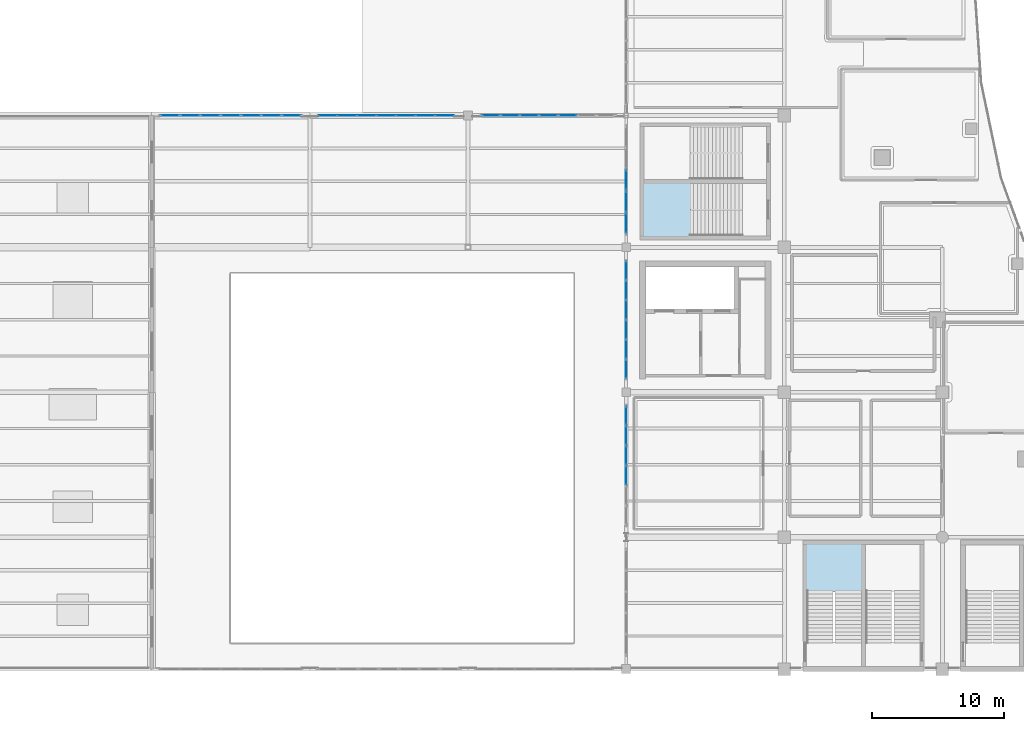
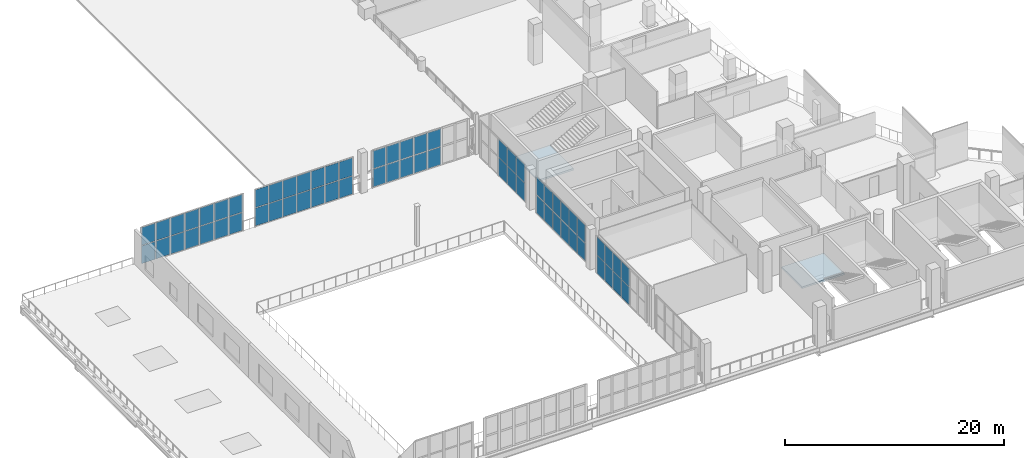
# One storey, part 51 of 90: 64 plates, 2 slabs, 8 elements without a shape of their own.
"""IFC4 building model written with IfcOpenShell, lengths in metres."""

from ifc_helpers import new_model, si_unit, direction, frame, origin, origin_2d, place, context, subcontext, project, spatial, polyline, rectangle, outline, extrude, material, layer, layer_set, type_object, element, aggregate, save


model = new_model("IFC4")

# Units and contexts
model_context = context("Model", 3, precision=1e-05, world=origin(), true_north=direction((0.0, 1.0)))
body_context = subcontext(model_context, "Body", "Model", "MODEL_VIEW")
ifc_project = project(units=[si_unit("LENGTHUNIT", "METRE"), si_unit("AREAUNIT", "SQUARE_METRE"), si_unit("VOLUMEUNIT", "CUBIC_METRE"), si_unit("PLANEANGLEUNIT", "RADIAN"), si_unit("MASSUNIT", "GRAM", prefix="KILO")], contexts=[model_context])

# Site, building, storey
site_placement = place(None, origin())
site = spatial("IfcSite", under=ifc_project, at=site_placement, CompositionType="ELEMENT")
building_placement = place(site_placement, origin())
building = spatial("IfcBuilding", under=site, at=building_placement, Name="Brinegate Civic Arena", CompositionType="ELEMENT")
storey_placement = place(building_placement, frame((0.0, 0.0, 14.699951171875)))
storey = spatial("IfcBuildingStorey", under=building, at=storey_placement, Name="L03", CompositionType="ELEMENT", Elevation=14.699951171875)

# Curtain wall, plates
ifc_material_1 = material(Name="Marine grade aluminium", Category="aluminium")
ifc_layer_1 = layer(ifc_material_1, 0.18505859375, Name="Marine grade aluminium")
ifc_layer_set_1 = layer_set([ifc_layer_1], Name="Marine grade aluminium")
curtain_wall_type_1 = type_object("IfcCurtainWallType", Name="CW-WING-GLAZED-03", PredefinedType="USERDEFINED", material=ifc_layer_set_1)
curtain_wall_1_placement = place(storey_placement, origin())
curtain_wall_1 = element("IfcCurtainWall", 1, at=curtain_wall_1_placement, inside=storey, type_object=curtain_wall_type_1, Name="Curtain Wall CWA-030", ObjectType="GLAZED CURTAIN WALL", PredefinedType="USERDEFINED")
ifc_material_2 = material(Name="Hurricane laminated low-E glass", Category="glass")
ifc_layer_2 = layer(ifc_material_2, 0.028076171875, Name="Hurricane laminated low-E glass")
ifc_layer_set_2 = layer_set([ifc_layer_2], Name="Hurricane laminated low-E glass")
plate_type_1 = type_object("IfcPlateType", Name="CW-PANEL-GLAZED-28", PredefinedType="CURTAIN_PANEL", material=ifc_layer_set_2)
plate_1_placement = place(storey_placement, frame((25.3583984375, 52.0, 0.065185546875), z_axis=(0.0, 0.0, 1.0), x_axis=(1.0, 0.0, 0.0)))
plate_1 = element("IfcPlate", 2, at=plate_1_placement, type_object=plate_type_1, Name="CWA-030 panel 1.1", PredefinedType="CURTAIN_PANEL", context=body_context, shape_type="SweptSolid", body=[
    extrude(rectangle(XDim=1.38671875, YDim=0.028076171875, at=origin_2d()), origin(), (0.0, 0.0, 1.0), 1.982421875),
])
plate_2_placement = place(storey_placement, frame((25.3583984375, 52.0, 2.112548828125), z_axis=(0.0, 0.0, 1.0), x_axis=(1.0, 0.0, 0.0)))
plate_2 = element("IfcPlate", 3, at=plate_2_placement, type_object=plate_type_1, Name="CWA-030 panel 1.2", PredefinedType="CURTAIN_PANEL", context=body_context, shape_type="SweptSolid", body=[
    extrude(rectangle(XDim=1.38671875, YDim=0.028076171875, at=origin_2d()), origin(), (0.0, 0.0, 1.0), 1.982421875),
])
plate_3_placement = place(storey_placement, frame((26.826416015625, 52.0, 0.065185546875), z_axis=(0.0, 0.0, 1.0), x_axis=(1.0, 0.0, 0.0)))
plate_3 = element("IfcPlate", 4, at=plate_3_placement, type_object=plate_type_1, Name="CWA-030 panel 2.1", PredefinedType="CURTAIN_PANEL", context=body_context, shape_type="SweptSolid", body=[
    extrude(rectangle(XDim=1.419189453125, YDim=0.028076171875, at=origin_2d()), origin(), (0.0, 0.0, 1.0), 1.982421875),
])
plate_4_placement = place(storey_placement, frame((26.826416015625, 52.0, 2.112548828125), z_axis=(0.0, 0.0, 1.0), x_axis=(1.0, 0.0, 0.0)))
plate_4 = element("IfcPlate", 5, at=plate_4_placement, type_object=plate_type_1, Name="CWA-030 panel 2.2", PredefinedType="CURTAIN_PANEL", context=body_context, shape_type="SweptSolid", body=[
    extrude(rectangle(XDim=1.419189453125, YDim=0.028076171875, at=origin_2d()), origin(), (0.0, 0.0, 1.0), 1.982421875),
])
plate_5_placement = place(storey_placement, frame((28.310791015625, 52.0, 0.065185546875), z_axis=(0.0, 0.0, 1.0), x_axis=(1.0, 0.0, 0.0)))
plate_5 = element("IfcPlate", 6, at=plate_5_placement, type_object=plate_type_1, Name="CWA-030 panel 3.1", PredefinedType="CURTAIN_PANEL", context=body_context, shape_type="SweptSolid", body=[
    extrude(rectangle(XDim=1.419189453125, YDim=0.028076171875, at=origin_2d()), origin(), (0.0, 0.0, 1.0), 1.982421875),
])
plate_6_placement = place(storey_placement, frame((28.310791015625, 52.0, 2.112548828125), z_axis=(0.0, 0.0, 1.0), x_axis=(1.0, 0.0, 0.0)))
plate_6 = element("IfcPlate", 7, at=plate_6_placement, type_object=plate_type_1, Name="CWA-030 panel 3.2", PredefinedType="CURTAIN_PANEL", context=body_context, shape_type="SweptSolid", body=[
    extrude(rectangle(XDim=1.419189453125, YDim=0.028076171875, at=origin_2d()), origin(), (0.0, 0.0, 1.0), 1.982421875),
])
plate_7_placement = place(storey_placement, frame((29.794921875, 52.0, 0.065185546875), z_axis=(0.0, 0.0, 1.0), x_axis=(1.0, 0.0, 0.0)))
plate_7 = element("IfcPlate", 8, at=plate_7_placement, type_object=plate_type_1, Name="CWA-030 panel 4.1", PredefinedType="CURTAIN_PANEL", context=body_context, shape_type="SweptSolid", body=[
    extrude(rectangle(XDim=1.419189453125, YDim=0.028076171875, at=origin_2d()), origin(), (0.0, 0.0, 1.0), 1.982421875),
])
plate_8_placement = place(storey_placement, frame((29.794921875, 52.0, 2.112548828125), z_axis=(0.0, 0.0, 1.0), x_axis=(1.0, 0.0, 0.0)))
plate_8 = element("IfcPlate", 9, at=plate_8_placement, type_object=plate_type_1, Name="CWA-030 panel 4.2", PredefinedType="CURTAIN_PANEL", context=body_context, shape_type="SweptSolid", body=[
    extrude(rectangle(XDim=1.419189453125, YDim=0.028076171875, at=origin_2d()), origin(), (0.0, 0.0, 1.0), 1.982421875),
])
plate_9_placement = place(storey_placement, frame((31.279296875, 52.0, 0.065185546875), z_axis=(0.0, 0.0, 1.0), x_axis=(1.0, 0.0, 0.0)))
plate_9 = element("IfcPlate", 10, at=plate_9_placement, type_object=plate_type_1, Name="CWA-030 panel 5.1", PredefinedType="CURTAIN_PANEL", context=body_context, shape_type="SweptSolid", body=[
    extrude(rectangle(XDim=1.419189453125, YDim=0.028076171875, at=origin_2d()), origin(), (0.0, 0.0, 1.0), 1.982421875),
])
plate_10_placement = place(storey_placement, frame((31.279296875, 52.0, 2.112548828125), z_axis=(0.0, 0.0, 1.0), x_axis=(1.0, 0.0, 0.0)))
plate_10 = element("IfcPlate", 11, at=plate_10_placement, type_object=plate_type_1, Name="CWA-030 panel 5.2", PredefinedType="CURTAIN_PANEL", context=body_context, shape_type="SweptSolid", body=[
    extrude(rectangle(XDim=1.419189453125, YDim=0.028076171875, at=origin_2d()), origin(), (0.0, 0.0, 1.0), 1.982421875),
])
plate_11_placement = place(storey_placement, frame((32.763671875, 52.0, 0.065185546875), z_axis=(0.0, 0.0, 1.0), x_axis=(1.0, 0.0, 0.0)))
plate_11 = element("IfcPlate", 12, at=plate_11_placement, type_object=plate_type_1, Name="CWA-030 panel 6.1", PredefinedType="CURTAIN_PANEL", context=body_context, shape_type="SweptSolid", body=[
    extrude(rectangle(XDim=1.419189453125, YDim=0.028076171875, at=origin_2d()), origin(), (0.0, 0.0, 1.0), 1.982421875),
])
plate_12_placement = place(storey_placement, frame((32.763671875, 52.0, 2.112548828125), z_axis=(0.0, 0.0, 1.0), x_axis=(1.0, 0.0, 0.0)))
plate_12 = element("IfcPlate", 13, at=plate_12_placement, type_object=plate_type_1, Name="CWA-030 panel 6.2", PredefinedType="CURTAIN_PANEL", context=body_context, shape_type="SweptSolid", body=[
    extrude(rectangle(XDim=1.419189453125, YDim=0.028076171875, at=origin_2d()), origin(), (0.0, 0.0, 1.0), 1.982421875),
])
plate_13_placement = place(storey_placement, frame((34.231689453125, 52.0, 0.065185546875), z_axis=(0.0, 0.0, 1.0), x_axis=(1.0, 0.0, 0.0)))
plate_13 = element("IfcPlate", 14, at=plate_13_placement, type_object=plate_type_1, Name="CWA-030 panel 7.1", PredefinedType="CURTAIN_PANEL", context=body_context, shape_type="SweptSolid", body=[
    extrude(rectangle(XDim=1.38671875, YDim=0.028076171875, at=origin_2d()), origin(), (0.0, 0.0, 1.0), 1.982421875),
])
plate_14_placement = place(storey_placement, frame((34.231689453125, 52.0, 2.112548828125), z_axis=(0.0, 0.0, 1.0), x_axis=(1.0, 0.0, 0.0)))
plate_14 = element("IfcPlate", 15, at=plate_14_placement, type_object=plate_type_1, Name="CWA-030 panel 7.2", PredefinedType="CURTAIN_PANEL", context=body_context, shape_type="SweptSolid", body=[
    extrude(rectangle(XDim=1.38671875, YDim=0.028076171875, at=origin_2d()), origin(), (0.0, 0.0, 1.0), 1.982421875),
])
aggregate(curtain_wall_1, [plate_1, plate_2, plate_3, plate_4, plate_5, plate_6, plate_7, plate_8, plate_9, plate_10, plate_11, plate_12, plate_13, plate_14])

ifc_layer_3 = layer(ifc_material_1, 0.199951171875, Name="Marine grade aluminium")
ifc_layer_set_3 = layer_set([ifc_layer_3], Name="Marine grade aluminium")
curtain_wall_type_2 = type_object("IfcCurtainWallType", Name="CW-BOWL-GLAZED-01", PredefinedType="USERDEFINED", material=ifc_layer_set_3)
curtain_wall_2_placement = place(storey_placement, origin())
curtain_wall_2 = element("IfcCurtainWall", 16, at=curtain_wall_2_placement, inside=storey, type_object=curtain_wall_type_2, Name="Curtain Wall CWA-109", ObjectType="GLAZED CURTAIN WALL", PredefinedType="USERDEFINED")
ifc_layer_4 = layer(ifc_material_2, 0.031982421875, Name="Hurricane laminated low-E glass")
ifc_layer_set_4 = layer_set([ifc_layer_4], Name="Hurricane laminated low-E glass")
plate_type_2 = type_object("IfcPlateType", Name="CW-PANEL-GLAZED-32", PredefinedType="CURTAIN_PANEL", material=ifc_layer_set_4)
plate_15_placement = place(storey_placement, frame((48.0, 32.774658203125, 0.0751953125), z_axis=(0.0, 0.0, 1.0), x_axis=(0.0, 1.0, 0.0)))
plate_15 = element("IfcPlate", 17, at=plate_15_placement, type_object=plate_type_2, Name="CWA-109 panel 1.1", PredefinedType="CURTAIN_PANEL", context=body_context, shape_type="SweptSolid", body=[
    extrude(rectangle(XDim=1.399169921875, YDim=0.031982421875, at=origin_2d()), origin(), (0.0, 0.0, 1.0), 1.967529296875),
])
plate_16_placement = place(storey_placement, frame((48.0, 32.774658203125, 2.11767578125), z_axis=(0.0, 0.0, 1.0), x_axis=(0.0, 1.0, 0.0)))
plate_16 = element("IfcPlate", 18, at=plate_16_placement, type_object=plate_type_2, Name="CWA-109 panel 1.2", PredefinedType="CURTAIN_PANEL", context=body_context, shape_type="SweptSolid", body=[
    extrude(rectangle(XDim=1.399169921875, YDim=0.031982421875, at=origin_2d()), origin(), (0.0, 0.0, 1.0), 1.967529296875),
])
plate_17_placement = place(storey_placement, frame((48.0, 34.2548828125, 0.0751953125), z_axis=(0.0, 0.0, 1.0), x_axis=(0.0, 1.0, 0.0)))
plate_17 = element("IfcPlate", 19, at=plate_17_placement, type_object=plate_type_2, Name="CWA-109 panel 2.1", PredefinedType="CURTAIN_PANEL", context=body_context, shape_type="SweptSolid", body=[
    extrude(rectangle(XDim=1.431640625, YDim=0.031982421875, at=origin_2d()), origin(), (0.0, 0.0, 1.0), 1.967529296875),
])
plate_18_placement = place(storey_placement, frame((48.0, 34.2548828125, 2.11767578125), z_axis=(0.0, 0.0, 1.0), x_axis=(0.0, 1.0, 0.0)))
plate_18 = element("IfcPlate", 20, at=plate_18_placement, type_object=plate_type_2, Name="CWA-109 panel 2.2", PredefinedType="CURTAIN_PANEL", context=body_context, shape_type="SweptSolid", body=[
    extrude(rectangle(XDim=1.431640625, YDim=0.031982421875, at=origin_2d()), origin(), (0.0, 0.0, 1.0), 1.967529296875),
])
plate_19_placement = place(storey_placement, frame((48.0, 35.751708984375, 0.0751953125), z_axis=(0.0, 0.0, 1.0), x_axis=(0.0, 1.0, 0.0)))
plate_19 = element("IfcPlate", 21, at=plate_19_placement, type_object=plate_type_2, Name="CWA-109 panel 3.1", PredefinedType="CURTAIN_PANEL", context=body_context, shape_type="SweptSolid", body=[
    extrude(rectangle(XDim=1.431640625, YDim=0.031982421875, at=origin_2d()), origin(), (0.0, 0.0, 1.0), 1.967529296875),
])
plate_20_placement = place(storey_placement, frame((48.0, 35.751708984375, 2.11767578125), z_axis=(0.0, 0.0, 1.0), x_axis=(0.0, 1.0, 0.0)))
plate_20 = element("IfcPlate", 22, at=plate_20_placement, type_object=plate_type_2, Name="CWA-109 panel 3.2", PredefinedType="CURTAIN_PANEL", context=body_context, shape_type="SweptSolid", body=[
    extrude(rectangle(XDim=1.431640625, YDim=0.031982421875, at=origin_2d()), origin(), (0.0, 0.0, 1.0), 1.967529296875),
])
plate_21_placement = place(storey_placement, frame((48.0, 37.248291015625, 0.0751953125), z_axis=(0.0, 0.0, 1.0), x_axis=(0.0, 1.0, 0.0)))
plate_21 = element("IfcPlate", 23, at=plate_21_placement, type_object=plate_type_2, Name="CWA-109 panel 4.1", PredefinedType="CURTAIN_PANEL", context=body_context, shape_type="SweptSolid", body=[
    extrude(rectangle(XDim=1.431640625, YDim=0.031982421875, at=origin_2d()), origin(), (0.0, 0.0, 1.0), 1.967529296875),
])
plate_22_placement = place(storey_placement, frame((48.0, 37.248291015625, 2.11767578125), z_axis=(0.0, 0.0, 1.0), x_axis=(0.0, 1.0, 0.0)))
plate_22 = element("IfcPlate", 24, at=plate_22_placement, type_object=plate_type_2, Name="CWA-109 panel 4.2", PredefinedType="CURTAIN_PANEL", context=body_context, shape_type="SweptSolid", body=[
    extrude(rectangle(XDim=1.431640625, YDim=0.031982421875, at=origin_2d()), origin(), (0.0, 0.0, 1.0), 1.967529296875),
])
plate_23_placement = place(storey_placement, frame((48.0, 38.7451171875, 0.0751953125), z_axis=(0.0, 0.0, 1.0), x_axis=(0.0, 1.0, 0.0)))
plate_23 = element("IfcPlate", 25, at=plate_23_placement, type_object=plate_type_2, Name="CWA-109 panel 5.1", PredefinedType="CURTAIN_PANEL", context=body_context, shape_type="SweptSolid", body=[
    extrude(rectangle(XDim=1.431640625, YDim=0.031982421875, at=origin_2d()), origin(), (0.0, 0.0, 1.0), 1.967529296875),
])
plate_24_placement = place(storey_placement, frame((48.0, 38.7451171875, 2.11767578125), z_axis=(0.0, 0.0, 1.0), x_axis=(0.0, 1.0, 0.0)))
plate_24 = element("IfcPlate", 26, at=plate_24_placement, type_object=plate_type_2, Name="CWA-109 panel 5.2", PredefinedType="CURTAIN_PANEL", context=body_context, shape_type="SweptSolid", body=[
    extrude(rectangle(XDim=1.431640625, YDim=0.031982421875, at=origin_2d()), origin(), (0.0, 0.0, 1.0), 1.967529296875),
])
plate_25_placement = place(storey_placement, frame((48.0, 40.225341796875, 0.0751953125), z_axis=(0.0, 0.0, 1.0), x_axis=(0.0, 1.0, 0.0)))
plate_25 = element("IfcPlate", 27, at=plate_25_placement, type_object=plate_type_2, Name="CWA-109 panel 6.1", PredefinedType="CURTAIN_PANEL", context=body_context, shape_type="SweptSolid", body=[
    extrude(rectangle(XDim=1.399169921875, YDim=0.031982421875, at=origin_2d()), origin(), (0.0, 0.0, 1.0), 1.967529296875),
])
plate_26_placement = place(storey_placement, frame((48.0, 40.225341796875, 2.11767578125), z_axis=(0.0, 0.0, 1.0), x_axis=(0.0, 1.0, 0.0)))
plate_26 = element("IfcPlate", 28, at=plate_26_placement, type_object=plate_type_2, Name="CWA-109 panel 6.2", PredefinedType="CURTAIN_PANEL", context=body_context, shape_type="SweptSolid", body=[
    extrude(rectangle(XDim=1.399169921875, YDim=0.031982421875, at=origin_2d()), origin(), (0.0, 0.0, 1.0), 1.967529296875),
])
aggregate(curtain_wall_2, [plate_15, plate_16, plate_17, plate_18, plate_19, plate_20, plate_21, plate_22, plate_23, plate_24, plate_25, plate_26])

curtain_wall_3_placement = place(storey_placement, origin())
curtain_wall_3 = element("IfcCurtainWall", 29, at=curtain_wall_3_placement, inside=storey, type_object=curtain_wall_type_1, Name="Curtain Wall CWA-028", ObjectType="GLAZED CURTAIN WALL", PredefinedType="USERDEFINED")
ifc_layer_5 = layer(ifc_material_2, 0.035888671875, Name="Hurricane laminated low-E glass")
ifc_layer_set_5 = layer_set([ifc_layer_5], Name="Hurricane laminated low-E glass")
plate_type_3 = type_object("IfcPlateType", Name="CW-PANEL-GLAZED-36", PredefinedType="CURTAIN_PANEL", material=ifc_layer_set_5)
plate_27_placement = place(storey_placement, frame((13.39013671875, 52.0, 0.065185546875), z_axis=(0.0, 0.0, 1.0), x_axis=(1.0, 0.0, 0.0)))
plate_27 = element("IfcPlate", 30, at=plate_27_placement, type_object=plate_type_3, Name="CWA-028 panel 1.1", PredefinedType="CURTAIN_PANEL", context=body_context, shape_type="SweptSolid", body=[
    extrude(rectangle(XDim=1.430419921875, YDim=0.035888671875, at=origin_2d()), origin(), (0.0, 0.0, 1.0), 1.982421875),
])
plate_28_placement = place(storey_placement, frame((13.39013671875, 52.0, 2.112548828125), z_axis=(0.0, 0.0, 1.0), x_axis=(1.0, 0.0, 0.0)))
plate_28 = element("IfcPlate", 31, at=plate_28_placement, type_object=plate_type_3, Name="CWA-028 panel 1.2", PredefinedType="CURTAIN_PANEL", context=body_context, shape_type="SweptSolid", body=[
    extrude(rectangle(XDim=1.430419921875, YDim=0.035888671875, at=origin_2d()), origin(), (0.0, 0.0, 1.0), 1.982421875),
])
plate_29_placement = place(storey_placement, frame((14.914306640625, 52.0, 0.065185546875), z_axis=(0.0, 0.0, 1.0), x_axis=(1.0, 0.0, 0.0)))
plate_29 = element("IfcPlate", 32, at=plate_29_placement, type_object=plate_type_3, Name="CWA-028 panel 2.1", PredefinedType="CURTAIN_PANEL", context=body_context, shape_type="SweptSolid", body=[
    extrude(rectangle(XDim=1.4677734375, YDim=0.035888671875, at=origin_2d()), origin(), (0.0, 0.0, 1.0), 1.982421875),
])
plate_30_placement = place(storey_placement, frame((14.914306640625, 52.0, 2.112548828125), z_axis=(0.0, 0.0, 1.0), x_axis=(1.0, 0.0, 0.0)))
plate_30 = element("IfcPlate", 33, at=plate_30_placement, type_object=plate_type_3, Name="CWA-028 panel 2.2", PredefinedType="CURTAIN_PANEL", context=body_context, shape_type="SweptSolid", body=[
    extrude(rectangle(XDim=1.4677734375, YDim=0.035888671875, at=origin_2d()), origin(), (0.0, 0.0, 1.0), 1.982421875),
])
plate_31_placement = place(storey_placement, frame((16.45703125, 52.0, 0.065185546875), z_axis=(0.0, 0.0, 1.0), x_axis=(1.0, 0.0, 0.0)))
plate_31 = element("IfcPlate", 34, at=plate_31_placement, type_object=plate_type_3, Name="CWA-028 panel 3.1", PredefinedType="CURTAIN_PANEL", context=body_context, shape_type="SweptSolid", body=[
    extrude(rectangle(XDim=1.4677734375, YDim=0.035888671875, at=origin_2d()), origin(), (0.0, 0.0, 1.0), 1.982421875),
])
plate_32_placement = place(storey_placement, frame((16.45703125, 52.0, 2.112548828125), z_axis=(0.0, 0.0, 1.0), x_axis=(1.0, 0.0, 0.0)))
plate_32 = element("IfcPlate", 35, at=plate_32_placement, type_object=plate_type_3, Name="CWA-028 panel 3.2", PredefinedType="CURTAIN_PANEL", context=body_context, shape_type="SweptSolid", body=[
    extrude(rectangle(XDim=1.4677734375, YDim=0.035888671875, at=origin_2d()), origin(), (0.0, 0.0, 1.0), 1.982421875),
])
plate_33_placement = place(storey_placement, frame((18.0, 52.0, 0.065185546875), z_axis=(0.0, 0.0, 1.0), x_axis=(1.0, 0.0, 0.0)))
plate_33 = element("IfcPlate", 36, at=plate_33_placement, type_object=plate_type_3, Name="CWA-028 panel 4.1", PredefinedType="CURTAIN_PANEL", context=body_context, shape_type="SweptSolid", body=[
    extrude(rectangle(XDim=1.4677734375, YDim=0.035888671875, at=origin_2d()), origin(), (0.0, 0.0, 1.0), 1.982421875),
])
plate_34_placement = place(storey_placement, frame((18.0, 52.0, 2.112548828125), z_axis=(0.0, 0.0, 1.0), x_axis=(1.0, 0.0, 0.0)))
plate_34 = element("IfcPlate", 37, at=plate_34_placement, type_object=plate_type_3, Name="CWA-028 panel 4.2", PredefinedType="CURTAIN_PANEL", context=body_context, shape_type="SweptSolid", body=[
    extrude(rectangle(XDim=1.4677734375, YDim=0.035888671875, at=origin_2d()), origin(), (0.0, 0.0, 1.0), 1.982421875),
])
plate_35_placement = place(storey_placement, frame((19.54296875, 52.0, 0.065185546875), z_axis=(0.0, 0.0, 1.0), x_axis=(1.0, 0.0, 0.0)))
plate_35 = element("IfcPlate", 38, at=plate_35_placement, type_object=plate_type_3, Name="CWA-028 panel 5.1", PredefinedType="CURTAIN_PANEL", context=body_context, shape_type="SweptSolid", body=[
    extrude(rectangle(XDim=1.4677734375, YDim=0.035888671875, at=origin_2d()), origin(), (0.0, 0.0, 1.0), 1.982421875),
])
plate_36_placement = place(storey_placement, frame((19.54296875, 52.0, 2.112548828125), z_axis=(0.0, 0.0, 1.0), x_axis=(1.0, 0.0, 0.0)))
plate_36 = element("IfcPlate", 39, at=plate_36_placement, type_object=plate_type_3, Name="CWA-028 panel 5.2", PredefinedType="CURTAIN_PANEL", context=body_context, shape_type="SweptSolid", body=[
    extrude(rectangle(XDim=1.4677734375, YDim=0.035888671875, at=origin_2d()), origin(), (0.0, 0.0, 1.0), 1.982421875),
])
plate_37_placement = place(storey_placement, frame((21.085693359375, 52.0, 0.065185546875), z_axis=(0.0, 0.0, 1.0), x_axis=(1.0, 0.0, 0.0)))
plate_37 = element("IfcPlate", 40, at=plate_37_placement, type_object=plate_type_3, Name="CWA-028 panel 6.1", PredefinedType="CURTAIN_PANEL", context=body_context, shape_type="SweptSolid", body=[
    extrude(rectangle(XDim=1.4677734375, YDim=0.035888671875, at=origin_2d()), origin(), (0.0, 0.0, 1.0), 1.982421875),
])
plate_38_placement = place(storey_placement, frame((21.085693359375, 52.0, 2.112548828125), z_axis=(0.0, 0.0, 1.0), x_axis=(1.0, 0.0, 0.0)))
plate_38 = element("IfcPlate", 41, at=plate_38_placement, type_object=plate_type_3, Name="CWA-028 panel 6.2", PredefinedType="CURTAIN_PANEL", context=body_context, shape_type="SweptSolid", body=[
    extrude(rectangle(XDim=1.4677734375, YDim=0.035888671875, at=origin_2d()), origin(), (0.0, 0.0, 1.0), 1.982421875),
])
plate_39_placement = place(storey_placement, frame((22.60986328125, 52.0, 0.065185546875), z_axis=(0.0, 0.0, 1.0), x_axis=(1.0, 0.0, 0.0)))
plate_39 = element("IfcPlate", 42, at=plate_39_placement, type_object=plate_type_3, Name="CWA-028 panel 7.1", PredefinedType="CURTAIN_PANEL", context=body_context, shape_type="SweptSolid", body=[
    extrude(rectangle(XDim=1.430419921875, YDim=0.035888671875, at=origin_2d()), origin(), (0.0, 0.0, 1.0), 1.982421875),
])
plate_40_placement = place(storey_placement, frame((22.60986328125, 52.0, 2.112548828125), z_axis=(0.0, 0.0, 1.0), x_axis=(1.0, 0.0, 0.0)))
plate_40 = element("IfcPlate", 43, at=plate_40_placement, type_object=plate_type_3, Name="CWA-028 panel 7.2", PredefinedType="CURTAIN_PANEL", context=body_context, shape_type="SweptSolid", body=[
    extrude(rectangle(XDim=1.430419921875, YDim=0.035888671875, at=origin_2d()), origin(), (0.0, 0.0, 1.0), 1.982421875),
])
aggregate(curtain_wall_3, [plate_27, plate_28, plate_29, plate_30, plate_31, plate_32, plate_33, plate_34, plate_35, plate_36, plate_37, plate_38, plate_39, plate_40])

curtain_wall_4_placement = place(storey_placement, origin())
curtain_wall_4 = element("IfcCurtainWall", 44, at=curtain_wall_4_placement, inside=storey, type_object=curtain_wall_type_1, Name="Curtain Wall CWA-032", ObjectType="GLAZED CURTAIN WALL", PredefinedType="USERDEFINED")
plate_41_placement = place(storey_placement, frame((37.7568359375, 52.0, 0.0751953125), z_axis=(0.0, 0.0, 1.0), x_axis=(1.0, 0.0, 0.0)))
plate_41 = element("IfcPlate", 45, at=plate_41_placement, type_object=plate_type_3, Name="CWA-032 panel 1.1", PredefinedType="CURTAIN_PANEL", context=body_context, shape_type="SweptSolid", body=[
    extrude(rectangle(XDim=1.34375, YDim=0.035888671875, at=origin_2d()), origin(), (0.0, 0.0, 1.0), 1.967529296875),
])
plate_42_placement = place(storey_placement, frame((37.7568359375, 52.0, 2.11767578125), z_axis=(0.0, 0.0, 1.0), x_axis=(1.0, 0.0, 0.0)))
plate_42 = element("IfcPlate", 46, at=plate_42_placement, type_object=plate_type_3, Name="CWA-032 panel 1.2", PredefinedType="CURTAIN_PANEL", context=body_context, shape_type="SweptSolid", body=[
    extrude(rectangle(XDim=1.34375, YDim=0.035888671875, at=origin_2d()), origin(), (0.0, 0.0, 1.0), 1.967529296875),
])
plate_43_placement = place(storey_placement, frame((39.1943359375, 52.0, 0.0751953125), z_axis=(0.0, 0.0, 1.0), x_axis=(1.0, 0.0, 0.0)))
plate_43 = element("IfcPlate", 47, at=plate_43_placement, type_object=plate_type_3, Name="CWA-032 panel 2.1", PredefinedType="CURTAIN_PANEL", context=body_context, shape_type="SweptSolid", body=[
    extrude(rectangle(XDim=1.381103515625, YDim=0.035888671875, at=origin_2d()), origin(), (0.0, 0.0, 1.0), 1.967529296875),
])
plate_44_placement = place(storey_placement, frame((39.1943359375, 52.0, 2.11767578125), z_axis=(0.0, 0.0, 1.0), x_axis=(1.0, 0.0, 0.0)))
plate_44 = element("IfcPlate", 48, at=plate_44_placement, type_object=plate_type_3, Name="CWA-032 panel 2.2", PredefinedType="CURTAIN_PANEL", context=body_context, shape_type="SweptSolid", body=[
    extrude(rectangle(XDim=1.381103515625, YDim=0.035888671875, at=origin_2d()), origin(), (0.0, 0.0, 1.0), 1.967529296875),
])
plate_45_placement = place(storey_placement, frame((40.650390625, 52.0, 0.0751953125), z_axis=(0.0, 0.0, 1.0), x_axis=(1.0, 0.0, 0.0)))
plate_45 = element("IfcPlate", 49, at=plate_45_placement, type_object=plate_type_3, Name="CWA-032 panel 3.1", PredefinedType="CURTAIN_PANEL", context=body_context, shape_type="SweptSolid", body=[
    extrude(rectangle(XDim=1.381103515625, YDim=0.035888671875, at=origin_2d()), origin(), (0.0, 0.0, 1.0), 1.967529296875),
])
plate_46_placement = place(storey_placement, frame((40.650390625, 52.0, 2.11767578125), z_axis=(0.0, 0.0, 1.0), x_axis=(1.0, 0.0, 0.0)))
plate_46 = element("IfcPlate", 50, at=plate_46_placement, type_object=plate_type_3, Name="CWA-032 panel 3.2", PredefinedType="CURTAIN_PANEL", context=body_context, shape_type="SweptSolid", body=[
    extrude(rectangle(XDim=1.381103515625, YDim=0.035888671875, at=origin_2d()), origin(), (0.0, 0.0, 1.0), 1.967529296875),
])
plate_47_placement = place(storey_placement, frame((42.1064453125, 52.0, 0.0751953125), z_axis=(0.0, 0.0, 1.0), x_axis=(1.0, 0.0, 0.0)))
plate_47 = element("IfcPlate", 51, at=plate_47_placement, type_object=plate_type_3, Name="CWA-032 panel 4.1", PredefinedType="CURTAIN_PANEL", context=body_context, shape_type="SweptSolid", body=[
    extrude(rectangle(XDim=1.381103515625, YDim=0.035888671875, at=origin_2d()), origin(), (0.0, 0.0, 1.0), 1.967529296875),
])
plate_48_placement = place(storey_placement, frame((42.1064453125, 52.0, 2.11767578125), z_axis=(0.0, 0.0, 1.0), x_axis=(1.0, 0.0, 0.0)))
plate_48 = element("IfcPlate", 52, at=plate_48_placement, type_object=plate_type_3, Name="CWA-032 panel 4.2", PredefinedType="CURTAIN_PANEL", context=body_context, shape_type="SweptSolid", body=[
    extrude(rectangle(XDim=1.381103515625, YDim=0.035888671875, at=origin_2d()), origin(), (0.0, 0.0, 1.0), 1.967529296875),
])
plate_49_placement = place(storey_placement, frame((43.562744140625, 52.0, 0.0751953125), z_axis=(0.0, 0.0, 1.0), x_axis=(1.0, 0.0, 0.0)))
plate_49 = element("IfcPlate", 53, at=plate_49_placement, type_object=plate_type_3, Name="CWA-032 panel 5.1", PredefinedType="CURTAIN_PANEL", context=body_context, shape_type="SweptSolid", body=[
    extrude(rectangle(XDim=1.381103515625, YDim=0.035888671875, at=origin_2d()), origin(), (0.0, 0.0, 1.0), 1.967529296875),
])
plate_50_placement = place(storey_placement, frame((43.562744140625, 52.0, 2.11767578125), z_axis=(0.0, 0.0, 1.0), x_axis=(1.0, 0.0, 0.0)))
plate_50 = element("IfcPlate", 54, at=plate_50_placement, type_object=plate_type_3, Name="CWA-032 panel 5.2", PredefinedType="CURTAIN_PANEL", context=body_context, shape_type="SweptSolid", body=[
    extrude(rectangle(XDim=1.381103515625, YDim=0.035888671875, at=origin_2d()), origin(), (0.0, 0.0, 1.0), 1.967529296875),
])
aggregate(curtain_wall_4, [plate_41, plate_42, plate_43, plate_44, plate_45, plate_46, plate_47, plate_48, plate_49, plate_50])

curtain_wall_5_placement = place(storey_placement, origin())
curtain_wall_5 = element("IfcCurtainWall", 55, at=curtain_wall_5_placement, inside=storey, type_object=curtain_wall_type_2, Name="Curtain Wall CWA-107", ObjectType="GLAZED CURTAIN WALL", PredefinedType="USERDEFINED")
ifc_layer_6 = layer(ifc_material_2, 0.0419921875, Name="Hurricane laminated low-E glass")
ifc_layer_set_6 = layer_set([ifc_layer_6], Name="Hurricane laminated low-E glass")
plate_type_4 = type_object("IfcPlateType", Name="CW-PANEL-SPANDREL-42", PredefinedType="CURTAIN_PANEL", material=ifc_layer_set_6)
plate_51_placement = place(storey_placement, frame((48.0, 24.68505859375, 0.065185546875), z_axis=(0.0, 0.0, 1.0), x_axis=(0.0, 1.0, 0.0)))
plate_51 = element("IfcPlate", 56, at=plate_51_placement, type_object=plate_type_4, Name="CWA-107 panel 3.1", PredefinedType="CURTAIN_PANEL", context=body_context, shape_type="SweptSolid", body=[
    extrude(rectangle(XDim=1.435546875, YDim=0.0419921875, at=origin_2d()), origin(), (0.0, 0.0, 1.0), 1.982421875),
])
plate_52_placement = place(storey_placement, frame((48.0, 24.68505859375, 2.112548828125), z_axis=(0.0, 0.0, 1.0), x_axis=(0.0, 1.0, 0.0)))
plate_52 = element("IfcPlate", 57, at=plate_52_placement, type_object=plate_type_4, Name="CWA-107 panel 3.2", PredefinedType="CURTAIN_PANEL", context=body_context, shape_type="SweptSolid", body=[
    extrude(rectangle(XDim=1.435546875, YDim=0.0419921875, at=origin_2d()), origin(), (0.0, 0.0, 1.0), 1.982421875),
])
plate_53_placement = place(storey_placement, frame((48.0, 26.200927734375, 0.065185546875), z_axis=(0.0, 0.0, 1.0), x_axis=(0.0, 1.0, 0.0)))
plate_53 = element("IfcPlate", 58, at=plate_53_placement, type_object=plate_type_4, Name="CWA-107 panel 4.1", PredefinedType="CURTAIN_PANEL", context=body_context, shape_type="SweptSolid", body=[
    extrude(rectangle(XDim=1.435546875, YDim=0.0419921875, at=origin_2d()), origin(), (0.0, 0.0, 1.0), 1.982421875),
])
plate_54_placement = place(storey_placement, frame((48.0, 26.200927734375, 2.112548828125), z_axis=(0.0, 0.0, 1.0), x_axis=(0.0, 1.0, 0.0)))
plate_54 = element("IfcPlate", 59, at=plate_54_placement, type_object=plate_type_4, Name="CWA-107 panel 4.2", PredefinedType="CURTAIN_PANEL", context=body_context, shape_type="SweptSolid", body=[
    extrude(rectangle(XDim=1.435546875, YDim=0.0419921875, at=origin_2d()), origin(), (0.0, 0.0, 1.0), 1.982421875),
])
plate_55_placement = place(storey_placement, frame((48.0, 27.716552734375, 0.065185546875), z_axis=(0.0, 0.0, 1.0), x_axis=(0.0, 1.0, 0.0)))
plate_55 = element("IfcPlate", 60, at=plate_55_placement, type_object=plate_type_4, Name="CWA-107 panel 5.1", PredefinedType="CURTAIN_PANEL", context=body_context, shape_type="SweptSolid", body=[
    extrude(rectangle(XDim=1.435546875, YDim=0.0419921875, at=origin_2d()), origin(), (0.0, 0.0, 1.0), 1.982421875),
])
plate_56_placement = place(storey_placement, frame((48.0, 27.716552734375, 2.112548828125), z_axis=(0.0, 0.0, 1.0), x_axis=(0.0, 1.0, 0.0)))
plate_56 = element("IfcPlate", 61, at=plate_56_placement, type_object=plate_type_4, Name="CWA-107 panel 5.2", PredefinedType="CURTAIN_PANEL", context=body_context, shape_type="SweptSolid", body=[
    extrude(rectangle(XDim=1.435546875, YDim=0.0419921875, at=origin_2d()), origin(), (0.0, 0.0, 1.0), 1.982421875),
])
plate_57_placement = place(storey_placement, frame((48.0, 29.212158203125, 0.065185546875), z_axis=(0.0, 0.0, 1.0), x_axis=(0.0, 1.0, 0.0)))
plate_57 = element("IfcPlate", 62, at=plate_57_placement, type_object=plate_type_4, Name="CWA-107 panel 6.1", PredefinedType="CURTAIN_PANEL", context=body_context, shape_type="SweptSolid", body=[
    extrude(rectangle(XDim=1.395751953125, YDim=0.0419921875, at=origin_2d()), origin(), (0.0, 0.0, 1.0), 1.982421875),
])
plate_58_placement = place(storey_placement, frame((48.0, 29.212158203125, 2.112548828125), z_axis=(0.0, 0.0, 1.0), x_axis=(0.0, 1.0, 0.0)))
plate_58 = element("IfcPlate", 63, at=plate_58_placement, type_object=plate_type_4, Name="CWA-107 panel 6.2", PredefinedType="CURTAIN_PANEL", context=body_context, shape_type="SweptSolid", body=[
    extrude(rectangle(XDim=1.395751953125, YDim=0.0419921875, at=origin_2d()), origin(), (0.0, 0.0, 1.0), 1.982421875),
])
aggregate(curtain_wall_5, [plate_51, plate_52, plate_53, plate_54, plate_55, plate_56, plate_57, plate_58])

curtain_wall_6_placement = place(storey_placement, origin())
curtain_wall_6 = element("IfcCurtainWall", 64, at=curtain_wall_6_placement, inside=storey, type_object=curtain_wall_type_2, Name="Curtain Wall CWA-111", ObjectType="GLAZED CURTAIN WALL", PredefinedType="USERDEFINED")
plate_59_placement = place(storey_placement, frame((48.0, 43.849365234375, 0.065185546875), z_axis=(0.0, 0.0, 1.0), x_axis=(0.0, 1.0, 0.0)))
plate_59 = element("IfcPlate", 65, at=plate_59_placement, type_object=plate_type_4, Name="CWA-111 panel 1.1", PredefinedType="CURTAIN_PANEL", context=body_context, shape_type="SweptSolid", body=[
    extrude(rectangle(XDim=1.5185546875, YDim=0.0419921875, at=origin_2d()), origin(), (0.0, 0.0, 1.0), 1.982421875),
])
plate_60_placement = place(storey_placement, frame((48.0, 43.849365234375, 2.112548828125), z_axis=(0.0, 0.0, 1.0), x_axis=(0.0, 1.0, 0.0)))
plate_60 = element("IfcPlate", 66, at=plate_60_placement, type_object=plate_type_4, Name="CWA-111 panel 1.2", PredefinedType="CURTAIN_PANEL", context=body_context, shape_type="SweptSolid", body=[
    extrude(rectangle(XDim=1.5185546875, YDim=0.0419921875, at=origin_2d()), origin(), (0.0, 0.0, 1.0), 1.982421875),
])
plate_61_placement = place(storey_placement, frame((48.0, 45.468017578125, 0.065185546875), z_axis=(0.0, 0.0, 1.0), x_axis=(0.0, 1.0, 0.0)))
plate_61 = element("IfcPlate", 67, at=plate_61_placement, type_object=plate_type_4, Name="CWA-111 panel 2.1", PredefinedType="CURTAIN_PANEL", context=body_context, shape_type="SweptSolid", body=[
    extrude(rectangle(XDim=1.55859375, YDim=0.0419921875, at=origin_2d()), origin(), (0.0, 0.0, 1.0), 1.982421875),
])
plate_62_placement = place(storey_placement, frame((48.0, 45.468017578125, 2.112548828125), z_axis=(0.0, 0.0, 1.0), x_axis=(0.0, 1.0, 0.0)))
plate_62 = element("IfcPlate", 68, at=plate_62_placement, type_object=plate_type_4, Name="CWA-111 panel 2.2", PredefinedType="CURTAIN_PANEL", context=body_context, shape_type="SweptSolid", body=[
    extrude(rectangle(XDim=1.55859375, YDim=0.0419921875, at=origin_2d()), origin(), (0.0, 0.0, 1.0), 1.982421875),
])
plate_63_placement = place(storey_placement, frame((48.0, 47.1064453125, 0.065185546875), z_axis=(0.0, 0.0, 1.0), x_axis=(0.0, 1.0, 0.0)))
plate_63 = element("IfcPlate", 69, at=plate_63_placement, type_object=plate_type_4, Name="CWA-111 panel 3.1", PredefinedType="CURTAIN_PANEL", context=body_context, shape_type="SweptSolid", body=[
    extrude(rectangle(XDim=1.55859375, YDim=0.0419921875, at=origin_2d()), origin(), (0.0, 0.0, 1.0), 1.982421875),
])
plate_64_placement = place(storey_placement, frame((48.0, 47.1064453125, 2.112548828125), z_axis=(0.0, 0.0, 1.0), x_axis=(0.0, 1.0, 0.0)))
plate_64 = element("IfcPlate", 70, at=plate_64_placement, type_object=plate_type_4, Name="CWA-111 panel 3.2", PredefinedType="CURTAIN_PANEL", context=body_context, shape_type="SweptSolid", body=[
    extrude(rectangle(XDim=1.55859375, YDim=0.0419921875, at=origin_2d()), origin(), (0.0, 0.0, 1.0), 1.982421875),
])
aggregate(curtain_wall_6, [plate_59, plate_60, plate_61, plate_62, plate_63, plate_64])

# Stair, slab
ifc_material_3 = material(Name="Concrete C40/50", Category="concrete")
stair_type = type_object("IfcStairType", Name="STAIR-EXIT-3850", PredefinedType="HALF_TURN_STAIR", material=ifc_material_3)
stair_1_placement = place(storey_placement, origin())
stair_1 = element("IfcStair", 71, at=stair_1_placement, inside=storey, type_object=stair_type, Name="Protected Exit Stair ST-02A (L03)", PredefinedType="HALF_TURN_STAIR")
ifc_layer_7 = layer(ifc_material_3, 0.199951171875, Name="Concrete C40/50")
ifc_layer_set_7 = layer_set([ifc_layer_7], Name="Concrete C40/50")
slab_type = type_object("IfcSlabType", Name="SLAB-LANDING-200", PredefinedType="LANDING", material=ifc_layer_set_7)
slab_1_placement = place(storey_placement, frame((0.0, 0.0, 2.050048828125)))
slab_1 = element("IfcSlab", 72, at=slab_1_placement, type_object=slab_type, Name="ST-02A landing 1", PredefinedType="LANDING", context=body_context, shape_type="SweptSolid", body=[
    extrude(outline(polyline([(61.544921875, 15.8798828125), (66.0048828125, 15.8798828125), (66.0048828125, 19.60009765625), (61.544921875, 19.60009765625), (61.544921875, 15.8798828125)])), origin(), (0.0, 0.0, 1.0), 0.199951171875),
])
aggregate(stair_1, [slab_1])

stair_2_placement = place(storey_placement, origin())
stair_2 = element("IfcStair", 73, at=stair_2_placement, inside=storey, type_object=stair_type, Name="Protected Exit Stair ST-08A (L03)", PredefinedType="HALF_TURN_STAIR")
slab_2_placement = place(storey_placement, frame((0.0, 0.0, 2.050048828125)))
slab_2 = element("IfcSlab", 74, at=slab_2_placement, type_object=slab_type, Name="ST-08A landing 1", PredefinedType="LANDING", context=body_context, shape_type="SweptSolid", body=[
    extrude(outline(polyline([(49.199951171875, 42.695068359375), (52.919921875, 42.695068359375), (52.919921875, 47.0048828125), (49.199951171875, 47.0048828125), (49.199951171875, 42.695068359375)])), origin(), (0.0, 0.0, 1.0), 0.199951171875),
])
aggregate(stair_2, [slab_2])

save(model, "model.ifc")
